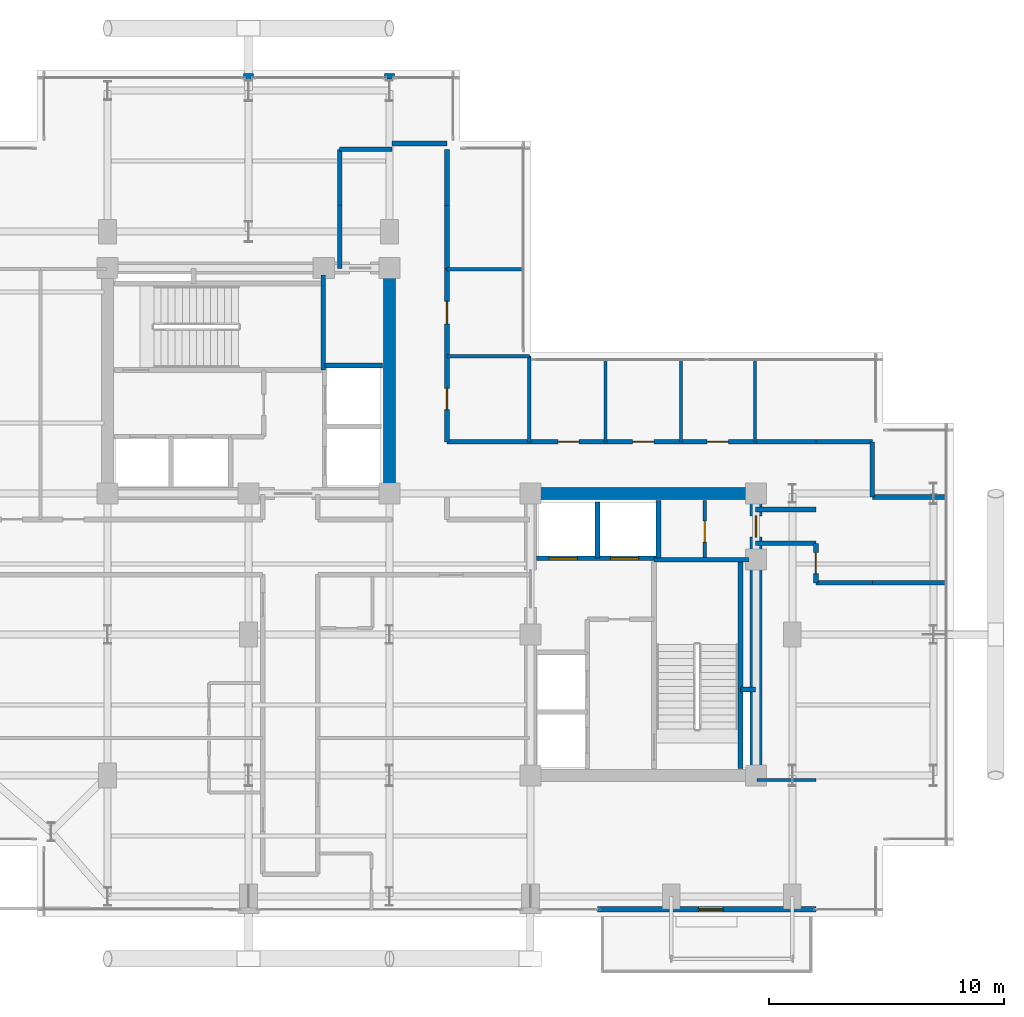
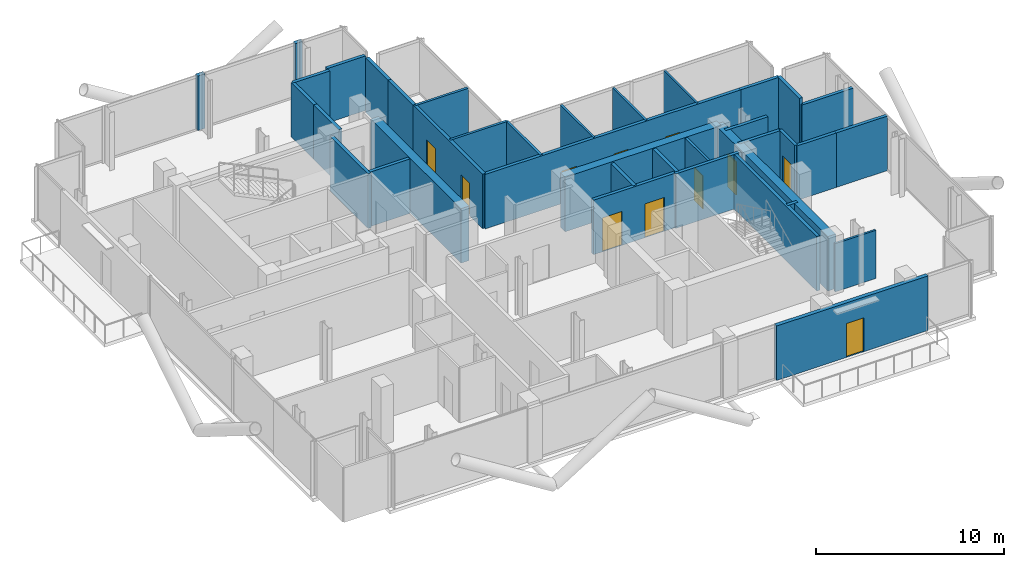
# One storey, part 21 of 25: 38 walls, 11 doors, 11 openings.
"""IFC4 building model written with IfcOpenShell, lengths in metres."""

from ifc_helpers import new_model, si_unit, direction, frame, frame_2d, origin, place, context, subcontext, project, spatial, rectangle, extrude, material, layer, layer_set, type_object, element, fill, save


model = new_model("IFC4")

# Units and contexts
model_context = context("Model", 3, precision=1e-05, world=origin(), true_north=direction((0.0, 1.0)))
body_context = subcontext(model_context, "Body", "Model", "MODEL_VIEW")
ifc_project = project(units=[si_unit("LENGTHUNIT", "METRE"), si_unit("AREAUNIT", "SQUARE_METRE"), si_unit("VOLUMEUNIT", "CUBIC_METRE"), si_unit("PLANEANGLEUNIT", "RADIAN"), si_unit("MASSUNIT", "GRAM", prefix="KILO"), si_unit("THERMODYNAMICTEMPERATUREUNIT", "KELVIN"), si_unit("POWERUNIT", "WATT")], contexts=[model_context])

# Site, building, storey
site_placement = place(None, origin())
site = spatial("IfcSite", under=ifc_project, at=site_placement, CompositionType="ELEMENT")
building_placement = place(site_placement, origin())
building = spatial("IfcBuilding", under=site, at=building_placement, Name="Svarakhadi Broadcast Tower", CompositionType="ELEMENT")
storey_placement = place(building_placement, frame((0.0, 0.0, 216.14990234375)))
storey = spatial("IfcBuildingStorey", under=building, at=storey_placement, Name="L53", CompositionType="ELEMENT", Elevation=216.14990234375)

# Walls
ifc_material_1 = material(Name="Double-Stud Acoustic Studio Partition STC-62", Category="gypsum")
ifc_layer_1 = layer(ifc_material_1, 0.199951171875)
ifc_layer_set_1 = layer_set([ifc_layer_1], Name="Double-Stud Acoustic Studio Partition STC-62")
wall_type_1 = type_object("IfcWallType", Name="Wall_Acoust_200", PredefinedType="PARTITIONING", material=ifc_layer_set_1)
wall_1_placement = place(storey_placement, frame((15.8798828125, 27.580078125, 0.0), z_axis=(0.0, 0.0, 1.0), x_axis=(0.0, 1.0, 0.0)))
element("IfcWall", 1, at=wall_1_placement, inside=storey, type_object=wall_type_1, Name="L53 Upper Tower Concourse Wall", PredefinedType="PARTITIONING", context=body_context, shape_type="SweptSolid", body=[
    extrude(rectangle(XDim=2.669921875, YDim=0.199951171875, at=frame_2d((1.3349609375, 0.0))), origin(), (0.0, 0.0, 1.0), 3.5400390625),
])
wall_2_placement = place(storey_placement, frame((15.8798828125, 30.25, 0.0), z_axis=(0.0, 0.0, 1.0), x_axis=(0.0, 1.0, 0.0)))
element("IfcWall", 2, at=wall_2_placement, inside=storey, type_object=wall_type_1, Name="L53 Upper Tower Concourse Wall", PredefinedType="PARTITIONING", context=body_context, shape_type="SweptSolid", body=[
    extrude(rectangle(XDim=2.39990234375, YDim=0.199951171875, at=frame_2d((1.199951171875, 0.0))), origin(), (0.0, 0.0, 1.0), 3.5400390625),
])
wall_3_placement = place(storey_placement, frame((15.8798828125, 32.64990234375, 0.0), z_axis=(0.0, 0.0, 1.0), x_axis=(1.0, 0.0, 0.0)))
element("IfcWall", 3, at=wall_3_placement, inside=storey, type_object=wall_type_1, Name="L53 Upper Tower Concourse Wall", PredefinedType="PARTITIONING", context=body_context, shape_type="SweptSolid", body=[
    extrude(rectangle(XDim=2.22021484375, YDim=0.199951171875, at=frame_2d((1.110107421875, 0.0))), origin(), (0.0, 0.0, 1.0), 3.5400390625),
])
wall_4_placement = place(storey_placement, frame((18.10009765625, 32.89990234375, 0.0), z_axis=(0.0, 0.0, 1.0), x_axis=(1.0, 0.0, 0.0)))
element("IfcWall", 4, at=wall_4_placement, inside=storey, type_object=wall_type_1, Name="L53 Upper Tower Concourse Wall", PredefinedType="PARTITIONING", context=body_context, shape_type="SweptSolid", body=[
    extrude(rectangle(XDim=2.349853515625, YDim=0.199951171875, at=frame_2d((1.1748046875, 0.0))), origin(), (0.0, 0.0, 1.0), 3.5400390625),
])
wall_5_placement = place(storey_placement, frame((20.449951171875, 32.64990234375, 0.0), z_axis=(0.0, 0.0, 1.0), x_axis=(0.0, -1.0, 0.0)))
element("IfcWall", 5, at=wall_5_placement, inside=storey, type_object=wall_type_1, Name="L53 Upper Tower Concourse Wall", PredefinedType="PARTITIONING", context=body_context, shape_type="SweptSolid", body=[
    extrude(rectangle(XDim=2.39990234375, YDim=0.199951171875, at=frame_2d((1.199951171875, 0.0))), origin(), (0.0, 0.0, 1.0), 3.5400390625),
])
wall_6_placement = place(storey_placement, frame((20.449951171875, 30.25, 0.0), z_axis=(0.0, 0.0, 1.0), x_axis=(0.0, -1.0, 0.0)))
element("IfcWall", 6, at=wall_6_placement, inside=storey, type_object=wall_type_1, Name="L53 Upper Tower Concourse Wall", PredefinedType="PARTITIONING", context=body_context, shape_type="SweptSolid", body=[
    extrude(rectangle(XDim=2.669921875, YDim=0.199951171875, at=frame_2d((1.3349609375, 0.0))), origin(), (0.0, 0.0, 1.0), 3.5400390625),
])

# Wall, openings, doors
wall_7_placement = place(storey_placement, frame((20.449951171875, 27.580078125, 0.0), z_axis=(0.0, 0.0, 1.0), x_axis=(0.0, -1.0, 0.0)))
wall_7 = element("IfcWall", 7, at=wall_7_placement, inside=storey, type_object=wall_type_1, Name="L53 Upper Tower Concourse Wall", PredefinedType="PARTITIONING", context=body_context, shape_type="SweptSolid", body=[
    extrude(rectangle(XDim=7.380126953125, YDim=0.199951171875, at=frame_2d((3.68994140625, 0.0))), origin(), (0.0, 0.0, 1.0), 3.5400390625),
])
opening_1_placement = place(wall_7_placement, frame((5.10498046875, 0.0, 0.0)))
opening_1 = element("IfcOpeningElement", 8, at=opening_1_placement, cuts=wall_7, Name="Opening D-13", PredefinedType="OPENING", context=body_context, shape_type="SweptSolid", body=[
    extrude(rectangle(XDim=0.89990234375, YDim=2.10009765625, at=frame_2d((0.449951171875, 1.050048828125))), frame((0.0, 0.10986328125, 0.0), z_axis=(0.0, -1.0, 0.0), x_axis=(1.0, 0.0, 0.0)), (0.0, 0.0, 1.0), 0.219970703125),
])
opening_2_placement = place(wall_7_placement, frame((1.405029296875, 0.0, 0.0)))
opening_2 = element("IfcOpeningElement", 9, at=opening_2_placement, cuts=wall_7, Name="Opening D-06", PredefinedType="OPENING", context=body_context, shape_type="SweptSolid", body=[
    extrude(rectangle(XDim=0.949951171875, YDim=2.14990234375, at=frame_2d((0.47509765625, 1.074951171875))), frame((0.0, 0.10986328125, 0.0), z_axis=(0.0, -1.0, 0.0), x_axis=(1.0, 0.0, 0.0)), (0.0, 0.0, 1.0), 0.219970703125),
])
ifc_material_2 = material(Name="Solid-Core Teak Veneer Acoustic Timber Leaf", Category="wood")
door_type_1 = type_object("IfcDoorType", Name="Door_Closet_D13", OperationType="SINGLE_SWING_RIGHT", PredefinedType="DOOR", material=ifc_material_2)
door_1_placement = place(opening_1_placement, origin())
door_1 = element("IfcDoor", 10, at=door_1_placement, inside=storey, type_object=door_type_1, Name="L53 Accessible Visitor Washroom WC Door", OperationType="SINGLE_SWING_RIGHT", OverallHeight=2.10009765625, OverallWidth=0.89990234375, PredefinedType="DOOR", context=body_context, shape_type="SweptSolid", body=[
    extrude(rectangle(XDim=0.89990234375, YDim=2.10009765625, at=frame_2d((0.449951171875, 1.050048828125))), frame((0.0, 0.02490234375, 0.0), z_axis=(0.0, -1.0, 0.0), x_axis=(1.0, 0.0, 0.0)), (0.0, 0.0, 1.0), 0.050048828125),
])
fill(opening_1, door_1)
door_type_2 = type_object("IfcDoorType", Name="Door_Office_D06", OperationType="SINGLE_SWING_LEFT", PredefinedType="DOOR", material=ifc_material_2)
door_2_placement = place(opening_2_placement, origin())
door_2 = element("IfcDoor", 11, at=door_2_placement, inside=storey, type_object=door_type_2, Name="L53 Hotel Butler Service Pantry Door", OperationType="SINGLE_SWING_LEFT", OverallHeight=2.14990234375, OverallWidth=0.949951171875, PredefinedType="DOOR", context=body_context, shape_type="SweptSolid", body=[
    extrude(rectangle(XDim=0.949951171875, YDim=2.14990234375, at=frame_2d((0.47509765625, 1.074951171875))), frame((0.0, 0.02490234375, 0.0), z_axis=(0.0, -1.0, 0.0), x_axis=(1.0, 0.0, 0.0)), (0.0, 0.0, 1.0), 0.050048828125),
])
fill(opening_2, door_2)

wall_8_placement = place(storey_placement, frame((20.449951171875, 20.199951171875, 0.0), z_axis=(0.0, 0.0, 1.0), x_axis=(1.0, 0.0, 0.0)))
wall_8 = element("IfcWall", 12, at=wall_8_placement, inside=storey, type_object=wall_type_1, Name="L53 Upper Tower Concourse Wall", PredefinedType="PARTITIONING", context=body_context, shape_type="SweptSolid", body=[
    extrude(rectangle(XDim=15.699951171875, YDim=0.199951171875, at=frame_2d((7.85009765625, 0.0))), origin(), (0.0, 0.0, 1.0), 3.5400390625),
])
opening_3_placement = place(wall_8_placement, frame((4.72509765625, 0.0, 0.0)))
opening_3 = element("IfcOpeningElement", 13, at=opening_3_placement, cuts=wall_8, Name="Opening D-15", PredefinedType="OPENING", context=body_context, shape_type="SweptSolid", body=[
    extrude(rectangle(XDim=0.89990234375, YDim=2.10009765625, at=frame_2d((0.449951171875, 1.050048828125))), frame((0.0, 0.10986328125, 0.0), z_axis=(0.0, -1.0, 0.0), x_axis=(1.0, 0.0, 0.0)), (0.0, 0.0, 1.0), 0.219970703125),
])
opening_4_placement = place(wall_8_placement, frame((7.89990234375, 0.0, 0.0)))
opening_4 = element("IfcOpeningElement", 14, at=opening_4_placement, cuts=wall_8, Name="Opening D-14", PredefinedType="OPENING", context=body_context, shape_type="SweptSolid", body=[
    extrude(rectangle(XDim=0.89990234375, YDim=2.10009765625, at=frame_2d((0.449951171875, 1.050048828125))), frame((0.0, 0.10986328125, 0.0), z_axis=(0.0, -1.0, 0.0), x_axis=(1.0, 0.0, 0.0)), (0.0, 0.0, 1.0), 0.219970703125),
])
opening_5_placement = place(wall_8_placement, frame((11.074951171875, 0.0, 0.0)))
opening_5 = element("IfcOpeningElement", 15, at=opening_5_placement, cuts=wall_8, Name="Opening D-15", PredefinedType="OPENING", context=body_context, shape_type="SweptSolid", body=[
    extrude(rectangle(XDim=0.89990234375, YDim=2.10009765625, at=frame_2d((0.449951171875, 1.050048828125))), frame((0.0, 0.10986328125, 0.0), z_axis=(0.0, -1.0, 0.0), x_axis=(1.0, 0.0, 0.0)), (0.0, 0.0, 1.0), 0.219970703125),
])
door_type_3 = type_object("IfcDoorType", Name="Door_Int_D14", OperationType="SINGLE_SWING_LEFT", PredefinedType="DOOR", material=ifc_material_2)
door_3_placement = place(opening_4_placement, origin())
door_3 = element("IfcDoor", 16, at=door_3_placement, inside=storey, type_object=door_type_3, Name="L53 Private Sommelier Tasting Pantry Door", OperationType="SINGLE_SWING_LEFT", OverallHeight=2.10009765625, OverallWidth=0.89990234375, PredefinedType="DOOR", context=body_context, shape_type="SweptSolid", body=[
    extrude(rectangle(XDim=0.89990234375, YDim=2.10009765625, at=frame_2d((0.449951171875, 1.050048828125))), frame((0.0, 0.02490234375, 0.0), z_axis=(0.0, -1.0, 0.0), x_axis=(1.0, 0.0, 0.0)), (0.0, 0.0, 1.0), 0.050048828125),
])
fill(opening_4, door_3)
door_type_4 = type_object("IfcDoorType", Name="Door_Int_D15", OperationType="SINGLE_SWING_RIGHT", PredefinedType="DOOR", material=ifc_material_2)
door_4_placement = place(opening_3_placement, origin())
door_4 = element("IfcDoor", 17, at=door_4_placement, inside=storey, type_object=door_type_4, Name="L53 Harbour Sky Club Reading Room Door", OperationType="SINGLE_SWING_RIGHT", OverallHeight=2.10009765625, OverallWidth=0.89990234375, PredefinedType="DOOR", context=body_context, shape_type="SweptSolid", body=[
    extrude(rectangle(XDim=0.89990234375, YDim=2.10009765625, at=frame_2d((0.449951171875, 1.050048828125))), frame((0.0, 0.02490234375, 0.0), z_axis=(0.0, -1.0, 0.0), x_axis=(1.0, 0.0, 0.0)), (0.0, 0.0, 1.0), 0.050048828125),
])
fill(opening_3, door_4)
door_5_placement = place(opening_5_placement, origin())
door_5 = element("IfcDoor", 18, at=door_5_placement, inside=storey, type_object=door_type_4, Name="L53 VIP Guest Concierge Office Door", OperationType="SINGLE_SWING_RIGHT", OverallHeight=2.10009765625, OverallWidth=0.89990234375, PredefinedType="DOOR", context=body_context, shape_type="SweptSolid", body=[
    extrude(rectangle(XDim=0.89990234375, YDim=2.10009765625, at=frame_2d((0.449951171875, 1.050048828125))), frame((0.0, 0.02490234375, 0.0), z_axis=(0.0, -1.0, 0.0), x_axis=(1.0, 0.0, 0.0)), (0.0, 0.0, 1.0), 0.050048828125),
])
fill(opening_5, door_5)

# Walls
wall_9_placement = place(storey_placement, frame((36.14990234375, 20.199951171875, 0.0), z_axis=(0.0, 0.0, 1.0), x_axis=(1.0, 0.0, 0.0)))
element("IfcWall", 19, at=wall_9_placement, inside=storey, type_object=wall_type_1, Name="L53 Upper Tower Concourse Wall", PredefinedType="PARTITIONING", context=body_context, shape_type="SweptSolid", body=[
    extrude(rectangle(XDim=2.400146484375, YDim=0.199951171875, at=frame_2d((1.2001953125, 0.0))), origin(), (0.0, 0.0, 1.0), 3.5400390625),
])
wall_10_placement = place(storey_placement, frame((38.550048828125, 20.199951171875, 0.0), z_axis=(0.0, 0.0, 1.0), x_axis=(0.0, -1.0, 0.0)))
element("IfcWall", 20, at=wall_10_placement, inside=storey, type_object=wall_type_1, Name="L53 Upper Tower Concourse Wall", PredefinedType="PARTITIONING", context=body_context, shape_type="SweptSolid", body=[
    extrude(rectangle(XDim=2.349853515625, YDim=0.199951171875, at=frame_2d((1.1748046875, 0.0))), origin(), (0.0, 0.0, 1.0), 3.5400390625),
])
wall_11_placement = place(storey_placement, frame((38.550048828125, 17.85009765625, 0.0), z_axis=(0.0, 0.0, 1.0), x_axis=(1.0, 0.0, 0.0)))
element("IfcWall", 21, at=wall_11_placement, inside=storey, type_object=wall_type_1, Name="L53 Upper Tower Concourse Wall", PredefinedType="PARTITIONING", context=body_context, shape_type="SweptSolid", body=[
    extrude(rectangle(XDim=3.14990234375, YDim=0.199951171875, at=frame_2d((1.574951171875, 0.0))), origin(), (0.0, 0.0, 1.0), 3.132080078125),
])
wall_12_placement = place(storey_placement, frame((41.699951171875, 14.199951171875, 0.0), z_axis=(0.0, 0.0, 1.0), x_axis=(-1.0, 0.0, 0.0)))
element("IfcWall", 22, at=wall_12_placement, inside=storey, type_object=wall_type_1, Name="L53 Upper Tower Concourse Wall", PredefinedType="PARTITIONING", context=body_context, shape_type="SweptSolid", body=[
    extrude(rectangle(XDim=3.14990234375, YDim=0.199951171875, at=frame_2d((1.574951171875, 0.0))), origin(), (0.0, 0.0, 1.0), 3.5400390625),
])
wall_13_placement = place(storey_placement, frame((38.550048828125, 14.199951171875, 0.0), z_axis=(0.0, 0.0, 1.0), x_axis=(-1.0, 0.0, 0.0)))
element("IfcWall", 23, at=wall_13_placement, inside=storey, type_object=wall_type_1, Name="L53 Upper Tower Concourse Wall", PredefinedType="PARTITIONING", context=body_context, shape_type="SweptSolid", body=[
    extrude(rectangle(XDim=2.400146484375, YDim=0.199951171875, at=frame_2d((1.2001953125, 0.0))), origin(), (0.0, 0.0, 1.0), 3.5400390625),
])

# Wall, opening, door
wall_14_placement = place(storey_placement, frame((36.14990234375, 14.199951171875, 0.0), z_axis=(0.0, 0.0, 1.0), x_axis=(0.0, 1.0, 0.0)))
wall_14 = element("IfcWall", 24, at=wall_14_placement, inside=storey, type_object=wall_type_1, Name="L53 Upper Tower Concourse Wall", PredefinedType="PARTITIONING", context=body_context, shape_type="SweptSolid", body=[
    extrude(rectangle(XDim=1.679931640625, YDim=0.199951171875, at=frame_2d((0.83984375, 0.0))), origin(), (0.0, 0.0, 1.0), 3.5400390625),
])
opening_6_placement = place(wall_14_placement, frame((0.389892578125, 0.0, 0.0)))
opening_6 = element("IfcOpeningElement", 25, at=opening_6_placement, cuts=wall_14, Name="Opening D-14", PredefinedType="OPENING", context=body_context, shape_type="SweptSolid", body=[
    extrude(rectangle(XDim=0.89990234375, YDim=2.10009765625, at=frame_2d((0.449951171875, 1.050048828125))), frame((0.0, 0.10986328125, 0.0), z_axis=(0.0, -1.0, 0.0), x_axis=(1.0, 0.0, 0.0)), (0.0, 0.0, 1.0), 0.219970703125),
])
door_6_placement = place(opening_6_placement, origin())
door_6 = element("IfcDoor", 26, at=door_6_placement, inside=storey, type_object=door_type_3, Name="L53 Harbour Club Reading Salon Door", OperationType="SINGLE_SWING_LEFT", OverallHeight=2.10009765625, OverallWidth=0.89990234375, PredefinedType="DOOR", context=body_context, shape_type="SweptSolid", body=[
    extrude(rectangle(XDim=0.89990234375, YDim=2.10009765625, at=frame_2d((0.449951171875, 1.050048828125))), frame((0.0, 0.02490234375, 0.0), z_axis=(0.0, -1.0, 0.0), x_axis=(1.0, 0.0, 0.0)), (0.0, 0.0, 1.0), 0.050048828125),
])
fill(opening_6, door_6)

# Walls
for number, where, z_axis, x_axis, name in (
    (27, (36.14990234375, 15.8798828125, 0.0), (0.0, 0.0, 1.0), (-1.0, 0.0, 0.0), "L53 Upper Tower Concourse Wall"),
    (28, (33.580078125, 17.320068359375, 0.0), (0.0, 0.0, 1.0), (1.0, 0.0, 0.0), "L53 Upper Tower Concourse Wall"),
):
    element("IfcWall", number, at=place(storey_placement, frame(where, z_axis=z_axis, x_axis=x_axis)), inside=storey, type_object=wall_type_1, Name=name, PredefinedType="PARTITIONING", context=body_context, shape_type="SweptSolid", body=[
        extrude(rectangle(XDim=2.56982421875, YDim=0.199951171875, at=frame_2d((1.284912109375, 0.0))), origin(), (0.0, 0.0, 1.0), 3.5400390625),
    ])

# Wall, opening, door
ifc_material_3 = material(Name="Concrete C40/50 (IS 456 M50)", Category="concrete")
ifc_layer_2 = layer(ifc_material_3, 0.239990234375)
ifc_layer_set_2 = layer_set([ifc_layer_2], Name="Concrete C40/50 (IS 456 M50)")
wall_type_2 = type_object("IfcWallType", Name="Wall_Ext_240", PredefinedType="SOLIDWALL", material=ifc_layer_set_2)
wall_15_placement = place(storey_placement, frame((36.14501953125, 0.300048828125, 0.0), z_axis=(0.0, 0.0, 1.0), x_axis=(-1.0, 0.0, 0.0)))
wall_15 = element("IfcWall", 29, at=wall_15_placement, inside=storey, type_object=wall_type_2, Name="L53 South Tree Balcony Spandrel Wall", PredefinedType="SOLIDWALL", context=body_context, shape_type="SweptSolid", body=[
    extrude(rectangle(XDim=9.2900390625, YDim=0.239990234375, at=frame_2d((4.64501953125, 0.0))), origin(), (0.0, 0.0, 1.0), 3.5400390625),
])
opening_7_placement = place(wall_15_placement, frame((3.945068359375, 0.0, 0.0)))
opening_7 = element("IfcOpeningElement", 30, at=opening_7_placement, cuts=wall_15, Name="Opening ED-05", PredefinedType="OPENING", context=body_context, shape_type="SweptSolid", body=[
    extrude(rectangle(XDim=1.050048828125, YDim=2.199951171875, at=frame_2d((0.52490234375, 1.10009765625))), frame((0.0, 0.1298828125, 0.0), z_axis=(0.0, -1.0, 0.0), x_axis=(1.0, 0.0, 0.0)), (0.0, 0.0, 1.0), 0.260009765625),
])
ifc_material_4 = material(Name="Anodised Bronze Aluminium AA 6063-T6", Category="aluminium")
door_type_5 = type_object("IfcDoorType", Name="Door_Ext_ED05", OperationType="SINGLE_SWING_LEFT", PredefinedType="DOOR", material=ifc_material_4)
door_7_placement = place(opening_7_placement, origin())
door_7 = element("IfcDoor", 31, at=door_7_placement, inside=storey, type_object=door_type_5, Name="L53 South Tree Balcony Door", OperationType="SINGLE_SWING_LEFT", OverallHeight=2.199951171875, OverallWidth=1.050048828125, PredefinedType="DOOR", context=body_context, shape_type="SweptSolid", body=[
    extrude(rectangle(XDim=1.050048828125, YDim=2.199951171875, at=frame_2d((0.52490234375, 1.10009765625))), frame((0.0, 0.02490234375, 0.0), z_axis=(0.0, -1.0, 0.0), x_axis=(1.0, 0.0, 0.0)), (0.0, 0.0, 1.0), 0.050048828125),
])
fill(opening_7, door_7)

# Walls
for number, where, z_axis, x_axis, name in (
    (32, (11.784912109375, 35.760009765625, 0.0), (0.0, 0.0, 1.0), (1.0, 0.0, 0.0), "L53 Perimeter Bronze Spandrel Closure Wall 01"),
    (33, (17.784912109375, 35.760009765625, 0.0), (0.0, 0.0, 1.0), (1.0, 0.0, 0.0), "L53 Perimeter Bronze Spandrel Closure Wall 02"),
):
    element("IfcWall", number, at=place(storey_placement, frame(where, z_axis=z_axis, x_axis=x_axis)), inside=storey, type_object=wall_type_2, Name=name, PredefinedType="SOLIDWALL", context=body_context, shape_type="SweptSolid", body=[
        extrude(rectangle(XDim=0.43017578125, YDim=0.239990234375, at=frame_2d((0.215087890625, 0.0))), origin(), (0.0, 0.0, 1.0), 3.5400390625),
    ])
ifc_layer_3 = layer(ifc_material_3, 0.199951171875)
ifc_layer_set_3 = layer_set([ifc_layer_3], Name="Concrete C40/50 (IS 456 M50)")
wall_type_3 = type_object("IfcWallType", Name="Wall_Fire_200", PredefinedType="SOLIDWALL", material=ifc_layer_set_3)
wall_16_placement = place(storey_placement, frame((32.93994140625, 9.659912109375, 0.0), z_axis=(0.0, 0.0, 1.0), x_axis=(1.0, 0.0, 0.0)))
element("IfcWall", 34, at=wall_16_placement, inside=storey, type_object=wall_type_3, Name="L53 HV Busduct Riser Shaft North Wall", PredefinedType="SOLIDWALL", context=body_context, shape_type="SweptSolid", body=[
    extrude(rectangle(XDim=0.64013671875, YDim=0.199951171875, at=frame_2d((0.320068359375, 0.0))), origin(), (0.0, 0.0, 1.0), 3.5400390625),
])
ifc_material_5 = material(Name="Fire-Rated Moisture-Resistant Gypsum Board Partition", Category="gypsum")
ifc_layer_4 = layer(ifc_material_5, 0.125)
ifc_layer_set_4 = layer_set([ifc_layer_4], Name="Fire-Rated Moisture-Resistant Gypsum Board Partition")
wall_type_4 = type_object("IfcWallType", Name="Wall_Part_125", PredefinedType="PARTITIONING", material=ifc_layer_set_4)
for number, where, z_axis, x_axis, name in (
    (35, (27.199951171875, 20.199951171875, 0.0), (0.0, 0.0, 1.0), (0.0, 1.0, 0.0), "L53 Harbour Sky Club Reading Room Wall"),
    (36, (30.39990234375, 20.199951171875, 0.0), (0.0, 0.0, 1.0), (0.0, 1.0, 0.0), "L53 Private Sommelier Tasting Pantry Wall"),
    (37, (33.550048828125, 20.199951171875, 0.0), (0.0, 0.0, 1.0), (0.0, 1.0, 0.0), "L53 VIP Guest Concierge Office Wall"),
):
    element("IfcWall", number, at=place(storey_placement, frame(where, z_axis=z_axis, x_axis=x_axis)), inside=storey, type_object=wall_type_4, Name=name, PredefinedType="PARTITIONING", context=body_context, shape_type="SweptSolid", body=[
        extrude(rectangle(XDim=3.5, YDim=0.125, at=frame_2d((1.75, 0.0))), origin(), (0.0, 0.0, 1.0), 3.5400390625),
    ])
wall_17_placement = place(storey_placement, frame((33.64990234375, 5.800048828125, 0.0), z_axis=(0.0, 0.0, 1.0), x_axis=(1.0, 0.0, 0.0)))
element("IfcWall", 38, at=wall_17_placement, inside=storey, type_object=wall_type_4, Name="L53 Harbour Club Reading Salon Wall", PredefinedType="PARTITIONING", context=body_context, shape_type="SweptSolid", body=[
    extrude(rectangle(XDim=2.5, YDim=0.125, at=frame_2d((1.25, 0.0))), origin(), (0.0, 0.0, 1.0), 3.132080078125),
])

# Wall, opening, door
ifc_material_6 = material(Name="Autoclaved Aerated Concrete Blockwork 150 mm", Category="masonry")
ifc_layer_5 = layer(ifc_material_6, 0.14990234375)
ifc_layer_set_5 = layer_set([ifc_layer_5], Name="Autoclaved Aerated Concrete Blockwork 150 mm")
wall_type_5 = type_object("IfcWallType", Name="Wall_Part_150", PredefinedType="PARTITIONING", material=ifc_layer_set_5)
wall_18_placement = place(storey_placement, frame((31.419921875, 15.280029296875, 0.0), z_axis=(0.0, 0.0, 1.0), x_axis=(0.0, 1.0, 0.0)))
wall_18 = element("IfcWall", 39, at=wall_18_placement, inside=storey, type_object=wall_type_5, Name="L53 Core Service Split Wall", PredefinedType="PARTITIONING", context=body_context, shape_type="SweptSolid", body=[
    extrude(rectangle(XDim=2.419921875, YDim=0.14990234375, at=frame_2d((1.2099609375, 0.0))), origin(), (0.0, 0.0, 1.0), 3.5400390625),
])
opening_8_placement = place(wall_18_placement, frame((0.64990234375, 0.0, 0.0)))
opening_8 = element("IfcOpeningElement", 40, at=opening_8_placement, cuts=wall_18, Name="Opening D-03", PredefinedType="OPENING", context=body_context, shape_type="SweptSolid", body=[
    extrude(rectangle(XDim=0.89990234375, YDim=2.14990234375, at=frame_2d((0.449951171875, 1.074951171875))), frame((0.0, 0.0849609375, 0.0), z_axis=(0.0, -1.0, 0.0), x_axis=(1.0, 0.0, 0.0)), (0.0, 0.0, 1.0), 0.169921875),
])
ifc_material_7 = material(Name="Galvanised Powder-Coated Fire-Rated Steel Leaf", Category="steel")
door_type_6 = type_object("IfcDoorType", Name="Door_Fire_D03", OperationType="SINGLE_SWING_LEFT", PredefinedType="DOOR", material=ifc_material_7)
door_8_placement = place(opening_8_placement, origin())
door_8 = element("IfcDoor", 41, at=door_8_placement, inside=storey, type_object=door_type_6, Name="L53 Core Inner Riser Store Door", OperationType="SINGLE_SWING_LEFT", OverallHeight=2.14990234375, OverallWidth=0.89990234375, PredefinedType="DOOR", context=body_context, shape_type="SweptSolid", body=[
    extrude(rectangle(XDim=0.89990234375, YDim=2.14990234375, at=frame_2d((0.449951171875, 1.074951171875))), frame((0.0, 0.02490234375, 0.0), z_axis=(0.0, -1.0, 0.0), x_axis=(1.0, 0.0, 0.0)), (0.0, 0.0, 1.0), 0.050048828125),
])
fill(opening_8, door_8)

# Walls
wall_19_placement = place(storey_placement, frame((20.449951171875, 23.85009765625, 0.0), z_axis=(0.0, 0.0, 1.0), x_axis=(1.0, 0.0, 0.0)))
element("IfcWall", 42, at=wall_19_placement, inside=storey, type_object=wall_type_5, Name="L53 Accessible Visitor Washroom WC Wall", PredefinedType="PARTITIONING", context=body_context, shape_type="SweptSolid", body=[
    extrude(rectangle(XDim=3.5, YDim=0.14990234375, at=frame_2d((1.75, 0.0))), origin(), (0.0, 0.0, 1.0), 3.5400390625),
])
wall_20_placement = place(storey_placement, frame((23.949951171875, 20.199951171875, 0.0), z_axis=(0.0, 0.0, 1.0), x_axis=(0.0, 1.0, 0.0)))
element("IfcWall", 43, at=wall_20_placement, inside=storey, type_object=wall_type_5, Name="L53 Accessible Visitor Washroom WC Wall", PredefinedType="PARTITIONING", context=body_context, shape_type="SweptSolid", body=[
    extrude(rectangle(XDim=3.650146484375, YDim=0.14990234375, at=frame_2d((1.8251953125, 0.0))), origin(), (0.0, 0.0, 1.0), 3.5400390625),
])
wall_21_placement = place(storey_placement, frame((20.449951171875, 27.550048828125, 0.0), z_axis=(0.0, 0.0, 1.0), x_axis=(1.0, 0.0, 0.0)))
element("IfcWall", 44, at=wall_21_placement, inside=storey, type_object=wall_type_5, Name="L53 Hotel Butler Service Pantry Wall", PredefinedType="PARTITIONING", context=body_context, shape_type="SweptSolid", body=[
    extrude(rectangle(XDim=3.25, YDim=0.14990234375, at=frame_2d((1.625, 0.0))), origin(), (0.0, 0.0, 1.0), 3.5400390625),
])
ifc_material_8 = material(Name="Concrete C50/60 (IS 456 M60)", Category="concrete")
ifc_layer_6 = layer(ifc_material_8, 0.199951171875)
ifc_layer_set_6 = layer_set([ifc_layer_6], Name="Concrete C50/60 (IS 456 M60)")
wall_type_6 = type_object("IfcWallType", Name="Wall_Shear_200", PredefinedType="SHEAR", material=ifc_layer_set_6)
wall_22_placement = place(storey_placement, frame((15.179931640625, 23.260009765625, 0.0), z_axis=(0.0, 0.0, 1.0), x_axis=(0.0, 1.0, 0.0)))
element("IfcWall", 45, at=wall_22_placement, inside=storey, type_object=wall_type_6, Name="L53 Stair ST-01 East RC Shaft Wall", PredefinedType="SHEAR", context=body_context, shape_type="SweptSolid", body=[
    extrude(rectangle(XDim=4.0400390625, YDim=0.199951171875, at=frame_2d((2.02001953125, 0.0))), origin(), (0.0, 0.0, 1.0), 3.5400390625),
])
wall_23_placement = place(storey_placement, frame((32.93994140625, 6.300048828125, 0.0), z_axis=(0.0, 0.0, 1.0), x_axis=(0.0, 1.0, 0.0)))
element("IfcWall", 46, at=wall_23_placement, inside=storey, type_object=wall_type_6, Name="L53 Stair ST-02 East RC Shaft Wall", PredefinedType="SHEAR", context=body_context, shape_type="SweptSolid", body=[
    extrude(rectangle(XDim=8.8798828125, YDim=0.199951171875, at=frame_2d((4.43994140625, 0.0))), origin(), (0.0, 0.0, 1.0), 3.5400390625),
])
wall_24_placement = place(storey_placement, frame((29.260009765625, 15.179931640625, 0.0), z_axis=(0.0, 0.0, 1.0), x_axis=(1.0, 0.0, 0.0)))
element("IfcWall", 47, at=wall_24_placement, inside=storey, type_object=wall_type_6, Name="L53 Stair ST-02 North RC Shaft Wall", PredefinedType="SHEAR", context=body_context, shape_type="SweptSolid", body=[
    extrude(rectangle(XDim=4.0400390625, YDim=0.199951171875, at=frame_2d((2.02001953125, 0.0))), origin(), (0.0, 0.0, 1.0), 3.5400390625),
])
wall_25_placement = place(storey_placement, frame((15.25, 23.449951171875, 0.0), z_axis=(0.0, 0.0, 1.0), x_axis=(1.0, 0.0, 0.0)))
element("IfcWall", 48, at=wall_25_placement, inside=storey, type_object=wall_type_6, Name="L53 High-Rise Lift LF-13/14 North Wall", PredefinedType="SHEAR", context=body_context, shape_type="SweptSolid", body=[
    extrude(rectangle(XDim=2.449951171875, YDim=0.199951171875, at=frame_2d((1.22509765625, 0.0))), origin(), (0.0, 0.0, 1.0), 3.5400390625),
])

# Wall, openings, doors
wall_26_placement = place(storey_placement, frame((24.25, 15.25, 0.0), z_axis=(0.0, 0.0, 1.0), x_axis=(1.0, 0.0, 0.0)))
wall_26 = element("IfcWall", 49, at=wall_26_placement, inside=storey, type_object=wall_type_6, Name="L53 High-Rise Lift LF-15/16 South Shaft Wall", PredefinedType="SHEAR", context=body_context, shape_type="SweptSolid", body=[
    extrude(rectangle(XDim=5.199951171875, YDim=0.199951171875, at=frame_2d((2.60009765625, 0.0))), origin(), (0.0, 0.0, 1.0), 3.5400390625),
])
opening_9_placement = place(wall_26_placement, frame((0.550048828125, 0.0, 0.0)))
opening_9 = element("IfcOpeningElement", 50, at=opening_9_placement, cuts=wall_26, Name="Opening LD-02", PredefinedType="OPENING", context=body_context, shape_type="SweptSolid", body=[
    extrude(rectangle(XDim=1.199951171875, YDim=2.199951171875, at=frame_2d((0.60009765625, 1.10009765625))), frame((0.0, 0.10986328125, 0.0), z_axis=(0.0, -1.0, 0.0), x_axis=(1.0, 0.0, 0.0)), (0.0, 0.0, 1.0), 0.219970703125),
])
opening_10_placement = place(wall_26_placement, frame((3.14990234375, 0.0, 0.0)))
opening_10 = element("IfcOpeningElement", 51, at=opening_10_placement, cuts=wall_26, Name="Opening LD-02", PredefinedType="OPENING", context=body_context, shape_type="SweptSolid", body=[
    extrude(rectangle(XDim=1.199951171875, YDim=2.199951171875, at=frame_2d((0.60009765625, 1.10009765625))), frame((0.0, 0.10986328125, 0.0), z_axis=(0.0, -1.0, 0.0), x_axis=(1.0, 0.0, 0.0)), (0.0, 0.0, 1.0), 0.219970703125),
])
door_type_7 = type_object("IfcDoorType", Name="Door_Lift_LD02", OperationType="SLIDING_TO_RIGHT", PredefinedType="DOOR", material=ifc_material_7)
door_9_placement = place(opening_9_placement, origin())
door_9 = element("IfcDoor", 52, at=door_9_placement, inside=storey, type_object=door_type_7, Name="L53 High-Rise Lift LF-15 Landing Door", OperationType="SLIDING_TO_RIGHT", OverallHeight=2.199951171875, OverallWidth=1.199951171875, PredefinedType="DOOR", context=body_context, shape_type="SweptSolid", body=[
    extrude(rectangle(XDim=1.199951171875, YDim=2.199951171875, at=frame_2d((0.60009765625, 1.10009765625))), frame((0.0, 0.02490234375, 0.0), z_axis=(0.0, -1.0, 0.0), x_axis=(1.0, 0.0, 0.0)), (0.0, 0.0, 1.0), 0.050048828125),
])
fill(opening_9, door_9)
door_10_placement = place(opening_10_placement, origin())
door_10 = element("IfcDoor", 53, at=door_10_placement, inside=storey, type_object=door_type_7, Name="L53 High-Rise Lift LF-16 Landing Door", OperationType="SLIDING_TO_RIGHT", OverallHeight=2.199951171875, OverallWidth=1.199951171875, PredefinedType="DOOR", context=body_context, shape_type="SweptSolid", body=[
    extrude(rectangle(XDim=1.199951171875, YDim=2.199951171875, at=frame_2d((0.60009765625, 1.10009765625))), frame((0.0, 0.02490234375, 0.0), z_axis=(0.0, -1.0, 0.0), x_axis=(1.0, 0.0, 0.0)), (0.0, 0.0, 1.0), 0.050048828125),
])
fill(opening_10, door_10)

# Walls
wall_27_placement = place(storey_placement, frame((26.85009765625, 15.25, 0.0), z_axis=(0.0, 0.0, 1.0), x_axis=(0.0, 1.0, 0.0)))
element("IfcWall", 54, at=wall_27_placement, inside=storey, type_object=wall_type_6, Name="L53 High-Rise Lift LF-15/16 Divider", PredefinedType="SHEAR", context=body_context, shape_type="SweptSolid", body=[
    extrude(rectangle(XDim=2.39990234375, YDim=0.199951171875, at=frame_2d((1.199951171875, 0.0))), origin(), (0.0, 0.0, 1.0), 3.5400390625),
])
wall_28_placement = place(storey_placement, frame((29.449951171875, 15.25, 0.0), z_axis=(0.0, 0.0, 1.0), x_axis=(0.0, 1.0, 0.0)))
element("IfcWall", 55, at=wall_28_placement, inside=storey, type_object=wall_type_6, Name="L53 High-Rise Lift LF-15/16 East Wall", PredefinedType="SHEAR", context=body_context, shape_type="SweptSolid", body=[
    extrude(rectangle(XDim=2.449951171875, YDim=0.199951171875, at=frame_2d((1.22509765625, 0.0))), origin(), (0.0, 0.0, 1.0), 3.5400390625),
])
ifc_layer_7 = layer(ifc_material_8, 0.5)
ifc_layer_set_7 = layer_set([ifc_layer_7], Name="Concrete C50/60 (IS 456 M60)")
wall_type_7 = type_object("IfcWallType", Name="Wall_Shear_500", PredefinedType="SHEAR", material=ifc_layer_set_7)
for number, where, z_axis, x_axis, name in (
    (56, (18.0, 18.0, 0.0), (0.0, 0.0, 1.0), (0.0, 1.0, 0.0), "L53 West Core East Shear Wall"),
    (57, (24.0, 18.0, 0.0), (0.0, 0.0, 1.0), (1.0, 0.0, 0.0), "L53 East Core North Shear Wall"),
):
    element("IfcWall", number, at=place(storey_placement, frame(where, z_axis=z_axis, x_axis=x_axis)), inside=storey, type_object=wall_type_7, Name=name, PredefinedType="SHEAR", context=body_context, shape_type="SweptSolid", body=[
        extrude(rectangle(XDim=9.60009765625, YDim=0.5, at=frame_2d((4.800048828125, 0.0))), origin(), (0.0, 0.0, 1.0), 3.5400390625),
    ])

# Wall, opening, door
wall_29_placement = place(storey_placement, frame((33.60009765625, 6.0, 0.0), z_axis=(0.0, 0.0, 1.0), x_axis=(0.0, 1.0, 0.0)))
wall_29 = element("IfcWall", 58, at=wall_29_placement, inside=storey, type_object=wall_type_7, Name="L53 East Core East Shear Wall", PredefinedType="SHEAR", context=body_context, shape_type="SweptSolid", body=[
    extrude(rectangle(XDim=12.0, YDim=0.5, at=frame_2d((6.0, 0.0))), origin(), (0.0, 0.0, 1.0), 3.5400390625),
])
opening_11_placement = place(wall_29_placement, frame((10.14990234375, 0.0, 0.0)))
opening_11 = element("IfcOpeningElement", 59, at=opening_11_placement, cuts=wall_29, Name="Opening D-04", PredefinedType="OPENING", context=body_context, shape_type="SweptSolid", body=[
    extrude(rectangle(XDim=0.89990234375, YDim=2.14990234375, at=frame_2d((0.449951171875, 1.074951171875))), frame((0.0, 0.260009765625, 0.0), z_axis=(0.0, -1.0, 0.0), x_axis=(1.0, 0.0, 0.0)), (0.0, 0.0, 1.0), 0.52001953125),
])
door_type_8 = type_object("IfcDoorType", Name="Door_Fire_D04", OperationType="SINGLE_SWING_RIGHT", PredefinedType="DOOR", material=ifc_material_7)
door_11_placement = place(opening_11_placement, origin())
door_11 = element("IfcDoor", 60, at=door_11_placement, inside=storey, type_object=door_type_8, Name="L53 Core Outer Service Store Door", OperationType="SINGLE_SWING_RIGHT", OverallHeight=2.14990234375, OverallWidth=0.89990234375, PredefinedType="DOOR", context=body_context, shape_type="SweptSolid", body=[
    extrude(rectangle(XDim=0.89990234375, YDim=2.14990234375, at=frame_2d((0.449951171875, 1.074951171875))), frame((0.0, 0.02490234375, 0.0), z_axis=(0.0, -1.0, 0.0), x_axis=(1.0, 0.0, 0.0)), (0.0, 0.0, 1.0), 0.050048828125),
])
fill(opening_11, door_11)

save(model, "model.ifc")
